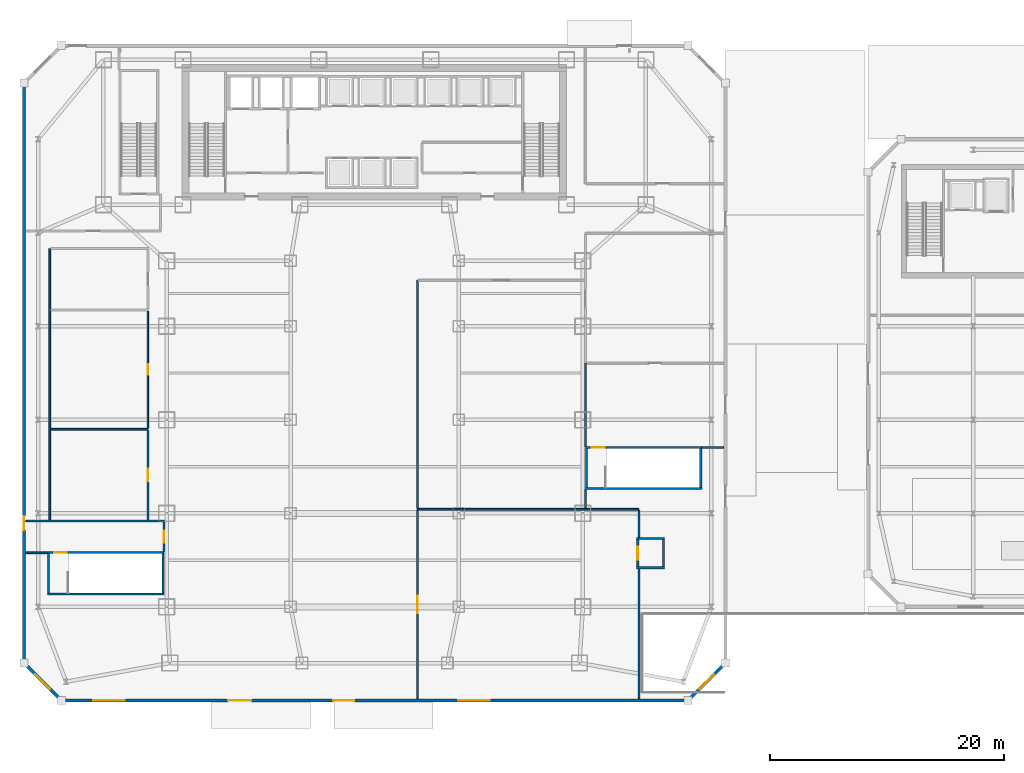
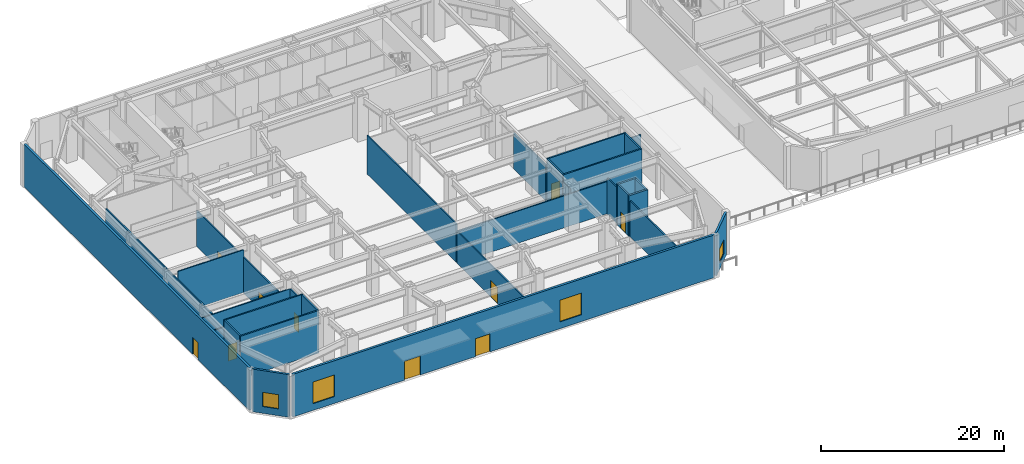
# One storey, part 11 of 23: 31 walls, 10 doors, 4 windows, 14 openings.
"""IFC4 building model written with IfcOpenShell, lengths in metres."""

from ifc_helpers import new_model, si_unit, direction, frame, frame_2d, origin, place, context, subcontext, project, spatial, rectangle, extrude, material, layer, layer_set, type_object, element, fill, save


model = new_model("IFC4")

# Units and contexts
model_context = context("Model", 3, precision=1e-05, world=origin(), true_north=direction((0.0, 1.0)))
body_context = subcontext(model_context, "Body", "Model", "MODEL_VIEW")
ifc_project = project(units=[si_unit("LENGTHUNIT", "METRE"), si_unit("AREAUNIT", "SQUARE_METRE"), si_unit("VOLUMEUNIT", "CUBIC_METRE"), si_unit("PLANEANGLEUNIT", "RADIAN"), si_unit("MASSUNIT", "GRAM", prefix="KILO")], contexts=[model_context])

# Site, building, storey
site_placement = place(None, origin())
site = spatial("IfcSite", under=ifc_project, at=site_placement, CompositionType="ELEMENT")
building_placement = place(site_placement, origin())
building = spatial("IfcBuilding", under=site, at=building_placement, Name="Saevonmaru Cultural Tower", CompositionType="ELEMENT")
storey_placement = place(building_placement, origin())
storey = spatial("IfcBuildingStorey", under=building, at=storey_placement, Name="L00", CompositionType="ELEMENT", Elevation=0.0)

# Wall, opening, window
ifc_material_1 = material(Name="Granite-Clad Precast Concrete C40/50", Category="masonry")
ifc_layer_1 = layer(ifc_material_1, 0.260009765625, Name="Granite-Clad Precast Concrete C40/50")
ifc_layer_set_1 = layer_set([ifc_layer_1], Name="Granite-Clad Precast Concrete C40/50")
wall_type_1 = type_object("IfcWallType", Name="WL-EXT-SPANDREL-260", PredefinedType="STANDARD", material=ifc_layer_set_1)
wall_1_placement = place(storey_placement, frame((3.0869140625, 0.113037109375, 0.0), z_axis=(0.0, 0.0, 1.0), x_axis=(-0.707106781187, 0.707106781187, 0.0)))
wall_1 = element("IfcWall", 1, at=wall_1_placement, inside=storey, type_object=wall_type_1, Name="L00 Podium Bronze-Granite Exterior Wall E1", PredefinedType="STANDARD", context=body_context, shape_type="SweptSolid", body=[
    extrude(rectangle(XDim=4.205810546875, YDim=0.260009765625, at=frame_2d((2.10302734375, 0.0))), origin(), (0.0, 0.0, 1.0), 5.699951171875),
])
opening_1_placement = place(wall_1_placement, frame((1.202880859375, 0.0, 0.89990234375)))
opening_1 = element("IfcOpeningElement", 2, at=opening_1_placement, cuts=wall_1, Name="Opening W-2", PredefinedType="OPENING", context=body_context, shape_type="SweptSolid", body=[
    extrude(rectangle(XDim=1.800048828125, YDim=1.89990234375, at=frame_2d((0.89990234375, 0.949951171875))), frame((0.0, 0.14013671875, 0.0), z_axis=(0.0, -1.0, 0.0), x_axis=(1.0, 0.0, 0.0)), (0.0, 0.0, 1.0), 0.280029296875),
])
ifc_material_2 = material(Name="Satin Bronze Anodised Aluminium", Category="aluminium")
window_type_1 = type_object("IfcWindowType", Name="WN-DECO-1800x1900", PartitioningType="SINGLE_PANEL", PredefinedType="WINDOW", material=ifc_material_2)
window_1_placement = place(opening_1_placement, origin())
window_1 = element("IfcWindow", 3, at=window_1_placement, inside=storey, type_object=window_type_1, Name="L00 Chamfer Bay Window E1", OverallHeight=1.89990234375, OverallWidth=1.800048828125, PartitioningType="SINGLE_PANEL", PredefinedType="WINDOW", context=body_context, shape_type="SweptSolid", body=[
    extrude(rectangle(XDim=1.800048828125, YDim=1.89990234375, at=frame_2d((0.89990234375, 0.949951171875))), frame((0.0, 0.030029296875, 0.0), z_axis=(0.0, -1.0, 0.0), x_axis=(1.0, 0.0, 0.0)), (0.0, 0.0, 1.0), 0.06005859375),
])
fill(opening_1, window_1)

wall_2_placement = place(storey_placement, frame((59.886962890625, 3.0869140625, 0.0), z_axis=(0.0, 0.0, 1.0), x_axis=(-0.707106781187, -0.707106781187, 0.0)))
wall_2 = element("IfcWall", 4, at=wall_2_placement, inside=storey, type_object=wall_type_1, Name="L00 Podium Bronze-Granite Exterior Wall E3", PredefinedType="STANDARD", context=body_context, shape_type="SweptSolid", body=[
    extrude(rectangle(XDim=4.205810546875, YDim=0.260009765625, at=frame_2d((2.10302734375, 0.0))), origin(), (0.0, 0.0, 1.0), 5.699951171875),
])
opening_2_placement = place(wall_2_placement, frame((1.202880859375, 0.0, 0.89990234375)))
opening_2 = element("IfcOpeningElement", 5, at=opening_2_placement, cuts=wall_2, Name="Opening W-2", PredefinedType="OPENING", context=body_context, shape_type="SweptSolid", body=[
    extrude(rectangle(XDim=1.800048828125, YDim=1.89990234375, at=frame_2d((0.89990234375, 0.949951171875))), frame((0.0, 0.14013671875, 0.0), z_axis=(0.0, -1.0, 0.0), x_axis=(1.0, 0.0, 0.0)), (0.0, 0.0, 1.0), 0.280029296875),
])
window_2_placement = place(opening_2_placement, origin())
window_2 = element("IfcWindow", 6, at=window_2_placement, inside=storey, type_object=window_type_1, Name="L00 Chamfer Bay Window E3", OverallHeight=1.89990234375, OverallWidth=1.800048828125, PartitioningType="SINGLE_PANEL", PredefinedType="WINDOW", context=body_context, shape_type="SweptSolid", body=[
    extrude(rectangle(XDim=1.800048828125, YDim=1.89990234375, at=frame_2d((0.89990234375, 0.949951171875))), frame((0.0, 0.030029296875, 0.0), z_axis=(0.0, -1.0, 0.0), x_axis=(1.0, 0.0, 0.0)), (0.0, 0.0, 1.0), 0.06005859375),
])
fill(opening_2, window_2)

# Wall, openings, doors, windows
ifc_layer_2 = layer(ifc_material_1, 0.280029296875, Name="Granite-Clad Precast Concrete C40/50")
ifc_layer_set_2 = layer_set([ifc_layer_2], Name="Granite-Clad Precast Concrete C40/50")
wall_type_2 = type_object("IfcWallType", Name="WL-EXT-SPANDREL-280", PredefinedType="STANDARD", material=ifc_layer_set_2)
wall_3_placement = place(storey_placement, frame((56.639892578125, 0.0, 0.0), z_axis=(0.0, 0.0, 1.0), x_axis=(-1.0, 0.0, 0.0)))
wall_3 = element("IfcWall", 7, at=wall_3_placement, inside=storey, type_object=wall_type_2, Name="L00 Podium Bronze-Granite Exterior Wall E2", PredefinedType="STANDARD", context=body_context, shape_type="SweptSolid", body=[
    extrude(rectangle(XDim=53.27978515625, YDim=0.280029296875, at=frame_2d((26.639892578125, 0.0))), origin(), (0.0, 0.0, 1.0), 5.699951171875),
])
opening_3_placement = place(wall_3_placement, frame((37.179931640625, 0.0, 0.0)))
opening_3 = element("IfcOpeningElement", 8, at=opening_3_placement, cuts=wall_3, Name="Opening EXD-0", PredefinedType="OPENING", context=body_context, shape_type="SweptSolid", body=[
    extrude(rectangle(XDim=2.0, YDim=2.5, at=frame_2d((1.0, 1.25))), frame((0.0, 0.14990234375, 0.0), z_axis=(0.0, -1.0, 0.0), x_axis=(1.0, 0.0, 0.0)), (0.0, 0.0, 1.0), 0.300048828125),
])
opening_4_placement = place(wall_3_placement, frame((28.3798828125, 0.0, 0.0)))
opening_4 = element("IfcOpeningElement", 9, at=opening_4_placement, cuts=wall_3, Name="Opening EXD-1", PredefinedType="OPENING", context=body_context, shape_type="SweptSolid", body=[
    extrude(rectangle(XDim=1.800048828125, YDim=2.39990234375, at=frame_2d((0.89990234375, 1.199951171875))), frame((0.0, 0.14990234375, 0.0), z_axis=(0.0, -1.0, 0.0), x_axis=(1.0, 0.0, 0.0)), (0.0, 0.0, 1.0), 0.300048828125),
])
opening_5_placement = place(wall_3_placement, frame((48.0, 0.0, 0.89990234375)))
opening_5 = element("IfcOpeningElement", 10, at=opening_5_placement, cuts=wall_3, Name="Opening W-5", PredefinedType="OPENING", context=body_context, shape_type="SweptSolid", body=[
    extrude(rectangle(XDim=2.699951171875, YDim=2.89990234375, at=frame_2d((1.35009765625, 1.449951171875))), frame((0.0, 0.14990234375, 0.0), z_axis=(0.0, -1.0, 0.0), x_axis=(1.0, 0.0, 0.0)), (0.0, 0.0, 1.0), 0.300048828125),
])
opening_6_placement = place(wall_3_placement, frame((16.800048828125, 0.0, 0.89990234375)))
opening_6 = element("IfcOpeningElement", 11, at=opening_6_placement, cuts=wall_3, Name="Opening W-5", PredefinedType="OPENING", context=body_context, shape_type="SweptSolid", body=[
    extrude(rectangle(XDim=2.699951171875, YDim=2.89990234375, at=frame_2d((1.35009765625, 1.449951171875))), frame((0.0, 0.14990234375, 0.0), z_axis=(0.0, -1.0, 0.0), x_axis=(1.0, 0.0, 0.0)), (0.0, 0.0, 1.0), 0.300048828125),
])
door_type_1 = type_object("IfcDoorType", Name="DR-EXIT-1800", OperationType="DOUBLE_DOOR_SINGLE_SWING", PredefinedType="DOOR", material=ifc_material_2)
door_1_placement = place(opening_4_placement, origin())
door_1 = element("IfcDoor", 12, at=door_1_placement, inside=storey, type_object=door_type_1, Name="Grand Cultural Foyer Street Exit Door EX-04", OperationType="DOUBLE_DOOR_SINGLE_SWING", OverallHeight=2.39990234375, OverallWidth=1.800048828125, PredefinedType="DOOR", context=body_context, shape_type="SweptSolid", body=[
    extrude(rectangle(XDim=1.800048828125, YDim=2.39990234375, at=frame_2d((0.89990234375, 1.199951171875))), frame((0.0, 0.02490234375, 0.0), z_axis=(0.0, -1.0, 0.0), x_axis=(1.0, 0.0, 0.0)), (0.0, 0.0, 1.0), 0.050048828125),
])
fill(opening_4, door_1)
door_type_2 = type_object("IfcDoorType", Name="DR-EXIT-2000", OperationType="DOUBLE_DOOR_SINGLE_SWING", PredefinedType="DOOR", material=ifc_material_2)
door_2_placement = place(opening_3_placement, origin())
door_2 = element("IfcDoor", 13, at=door_2_placement, inside=storey, type_object=door_type_2, Name="Grand Cultural Foyer Street Exit Door EX-03", OperationType="DOUBLE_DOOR_SINGLE_SWING", OverallHeight=2.5, OverallWidth=2.0, PredefinedType="DOOR", context=body_context, shape_type="SweptSolid", body=[
    extrude(rectangle(XDim=2.0, YDim=2.5, at=frame_2d((1.0, 1.25))), frame((0.0, 0.02490234375, 0.0), z_axis=(0.0, -1.0, 0.0), x_axis=(1.0, 0.0, 0.0)), (0.0, 0.0, 1.0), 0.050048828125),
])
fill(opening_3, door_2)
window_type_2 = type_object("IfcWindowType", Name="WN-POD-2700x2900", PartitioningType="TRIPLE_PANEL_VERTICAL", PredefinedType="WINDOW", material=ifc_material_2)
window_3_placement = place(opening_5_placement, origin())
window_3 = element("IfcWindow", 14, at=window_3_placement, inside=storey, type_object=window_type_2, Name="L00 South Foyer Window 1", OverallHeight=2.89990234375, OverallWidth=2.699951171875, PartitioningType="TRIPLE_PANEL_VERTICAL", PredefinedType="WINDOW", context=body_context, shape_type="SweptSolid", body=[
    extrude(rectangle(XDim=2.699951171875, YDim=2.89990234375, at=frame_2d((1.35009765625, 1.449951171875))), frame((0.0, 0.030029296875, 0.0), z_axis=(0.0, -1.0, 0.0), x_axis=(1.0, 0.0, 0.0)), (0.0, 0.0, 1.0), 0.06005859375),
])
fill(opening_5, window_3)
window_4_placement = place(opening_6_placement, origin())
window_4 = element("IfcWindow", 15, at=window_4_placement, inside=storey, type_object=window_type_2, Name="L00 South Foyer Window 2", OverallHeight=2.89990234375, OverallWidth=2.699951171875, PartitioningType="TRIPLE_PANEL_VERTICAL", PredefinedType="WINDOW", context=body_context, shape_type="SweptSolid", body=[
    extrude(rectangle(XDim=2.699951171875, YDim=2.89990234375, at=frame_2d((1.35009765625, 1.449951171875))), frame((0.0, 0.030029296875, 0.0), z_axis=(0.0, -1.0, 0.0), x_axis=(1.0, 0.0, 0.0)), (0.0, 0.0, 1.0), 0.06005859375),
])
fill(opening_6, window_4)

# Wall, opening, door
wall_4_placement = place(storey_placement, frame((0.0, 3.360107421875, 0.0), z_axis=(0.0, 0.0, 1.0), x_axis=(0.0, 1.0, 0.0)))
wall_4 = element("IfcWall", 16, at=wall_4_placement, inside=storey, type_object=wall_type_2, Name="L00 Podium Bronze-Granite Exterior Wall E8", PredefinedType="STANDARD", context=body_context, shape_type="SweptSolid", body=[
    extrude(rectangle(XDim=49.27978515625, YDim=0.280029296875, at=frame_2d((24.639892578125, 0.0))), origin(), (0.0, 0.0, 1.0), 5.699951171875),
])
opening_7_placement = place(wall_4_placement, frame((11.199951171875, 0.0, 0.0)))
opening_7 = element("IfcOpeningElement", 17, at=opening_7_placement, cuts=wall_4, Name="Opening EXD-2", PredefinedType="OPENING", context=body_context, shape_type="SweptSolid", body=[
    extrude(rectangle(XDim=1.199951171875, YDim=2.25, at=frame_2d((0.60009765625, 1.125))), frame((0.0, 0.14990234375, 0.0), z_axis=(0.0, -1.0, 0.0), x_axis=(1.0, 0.0, 0.0)), (0.0, 0.0, 1.0), 0.300048828125),
])
door_type_3 = type_object("IfcDoorType", Name="DR-EXIT-1200", OperationType="SINGLE_SWING_LEFT", PredefinedType="DOOR", material=ifc_material_2)
door_3_placement = place(opening_7_placement, origin())
door_3 = element("IfcDoor", 18, at=door_3_placement, inside=storey, type_object=door_type_3, Name="West Station Protected Exit Door EX-08", OperationType="SINGLE_SWING_LEFT", OverallHeight=2.25, OverallWidth=1.199951171875, PredefinedType="DOOR", context=body_context, shape_type="SweptSolid", body=[
    extrude(rectangle(XDim=1.199951171875, YDim=2.25, at=frame_2d((0.60009765625, 1.125))), frame((0.0, 0.02490234375, 0.0), z_axis=(0.0, -1.0, 0.0), x_axis=(1.0, 0.0, 0.0)), (0.0, 0.0, 1.0), 0.050048828125),
])
fill(opening_7, door_3)

# Walls
ifc_material_3 = material(Name="Gypsum Fireboard Partition", Category="gypsum")
ifc_layer_3 = layer(ifc_material_3, 0.14990234375, Name="Gypsum Fireboard Partition")
ifc_layer_set_3 = layer_set([ifc_layer_3], Name="Gypsum Fireboard Partition")
wall_type_3 = type_object("IfcWallType", Name="WL-PART-FIRE-150", PredefinedType="PARTITIONING", material=ifc_layer_set_3)
wall_5_placement = place(storey_placement, frame((33.64990234375, 16.35009765625, 0.0), z_axis=(0.0, 0.0, 1.0), x_axis=(1.0, 0.0, 0.0)))
element("IfcWall", 19, at=wall_5_placement, inside=storey, type_object=wall_type_3, Name="L00 Bookshop North Wall", PredefinedType="PARTITIONING", context=body_context, shape_type="SweptSolid", body=[
    extrude(rectangle(XDim=18.9501953125, YDim=0.14990234375, at=frame_2d((9.47509765625, 0.0))), origin(), (0.0, 0.0, 1.0), 4.284912109375),
])
wall_6_placement = place(storey_placement, frame((52.60009765625, 0.159912109375, 0.0), z_axis=(0.0, 0.0, 1.0), x_axis=(0.0, 1.0, 0.0)))
element("IfcWall", 20, at=wall_6_placement, inside=storey, type_object=wall_type_3, Name="L00 Bookshop Ramp-Well Wall", PredefinedType="PARTITIONING", context=body_context, shape_type="SweptSolid", body=[
    extrude(rectangle(XDim=11.070068359375, YDim=0.14990234375, at=frame_2d((5.53515625, 0.0))), origin(), (0.0, 0.0, 1.0), 4.784912109375),
])
wall_7_placement = place(storey_placement, frame((52.60009765625, 13.969970703125, 0.0), z_axis=(0.0, 0.0, 1.0), x_axis=(0.0, 1.0, 0.0)))
element("IfcWall", 21, at=wall_7_placement, inside=storey, type_object=wall_type_3, Name="L00 Bookshop Ramp-Well Wall (2)", PredefinedType="PARTITIONING", context=body_context, shape_type="SweptSolid", body=[
    extrude(rectangle(XDim=2.284912109375, YDim=0.14990234375, at=frame_2d((1.142578125, 0.0))), origin(), (0.0, 0.0, 1.0), 4.784912109375),
])

# Wall, opening, door
wall_8_placement = place(storey_placement, frame((33.64990234375, 0.159912109375, 0.0), z_axis=(0.0, 0.0, 1.0), x_axis=(0.0, 1.0, 0.0)))
wall_8 = element("IfcWall", 22, at=wall_8_placement, inside=storey, type_object=wall_type_3, Name="L00 Bookshop Foyer Wall", PredefinedType="PARTITIONING", context=body_context, shape_type="SweptSolid", body=[
    extrude(rectangle(XDim=16.094970703125, YDim=0.14990234375, at=frame_2d((8.04736328125, 0.0))), origin(), (0.0, 0.0, 1.0), 4.284912109375),
])
opening_8_placement = place(wall_8_placement, frame((7.297119140625, 0.0, 0.0)))
opening_8 = element("IfcOpeningElement", 23, at=opening_8_placement, cuts=wall_8, Name="Opening ID-0", PredefinedType="OPENING", context=body_context, shape_type="SweptSolid", body=[
    extrude(rectangle(XDim=1.5, YDim=2.199951171875, at=frame_2d((0.75, 1.10009765625))), frame((0.0, 0.0849609375, 0.0), z_axis=(0.0, -1.0, 0.0), x_axis=(1.0, 0.0, 0.0)), (0.0, 0.0, 1.0), 0.169921875),
])
ifc_material_4 = material(Name="Acoustic Stained Oak Timber", Category="wood")
door_type_4 = type_object("IfcDoorType", Name="DR-INT-1500", OperationType="DOUBLE_DOOR_SINGLE_SWING", PredefinedType="DOOR", material=ifc_material_4)
door_4_placement = place(opening_8_placement, origin())
door_4 = element("IfcDoor", 24, at=door_4_placement, inside=storey, type_object=door_type_4, Name="L00 Design Museum Bookshop Door", OperationType="DOUBLE_DOOR_SINGLE_SWING", OverallHeight=2.199951171875, OverallWidth=1.5, PredefinedType="DOOR", context=body_context, shape_type="SweptSolid", body=[
    extrude(rectangle(XDim=1.5, YDim=2.199951171875, at=frame_2d((0.75, 1.10009765625))), frame((0.0, 0.02490234375, 0.0), z_axis=(0.0, -1.0, 0.0), x_axis=(1.0, 0.0, 0.0)), (0.0, 0.0, 1.0), 0.050048828125),
])
fill(opening_8, door_4)

# Walls
wall_9_placement = place(storey_placement, frame((33.64990234375, 16.445068359375, 0.0), z_axis=(0.0, 0.0, 1.0), x_axis=(0.0, 1.0, 0.0)))
element("IfcWall", 25, at=wall_9_placement, inside=storey, type_object=wall_type_3, Name="L00 Orientation Auditorium West Wall", PredefinedType="PARTITIONING", context=body_context, shape_type="SweptSolid", body=[
    extrude(rectangle(XDim=19.5048828125, YDim=0.14990234375, at=frame_2d((9.75244140625, 0.0))), origin(), (0.0, 0.0, 1.0), 5.18505859375),
])
wall_10_placement = place(storey_placement, frame((48.02001953125, 21.75, 0.0), z_axis=(0.0, 0.0, 1.0), x_axis=(0.0, 1.0, 0.0)))
element("IfcWall", 26, at=wall_10_placement, inside=storey, type_object=wall_type_3, Name="L00 Orientation Auditorium East Wall", PredefinedType="PARTITIONING", context=body_context, shape_type="SweptSolid", body=[
    extrude(rectangle(XDim=7.10009765625, YDim=0.14990234375, at=frame_2d((3.550048828125, 0.0))), origin(), (0.0, 0.0, 1.0), 4.784912109375),
])
wall_11_placement = place(storey_placement, frame((48.02001953125, 16.445068359375, 0.0), z_axis=(0.0, 0.0, 1.0), x_axis=(0.0, 1.0, 0.0)))
element("IfcWall", 27, at=wall_11_placement, inside=storey, type_object=wall_type_3, Name="L00 Orientation Auditorium East Wall (2)", PredefinedType="PARTITIONING", context=body_context, shape_type="SweptSolid", body=[
    extrude(rectangle(XDim=1.554931640625, YDim=0.14990234375, at=frame_2d((0.77734375, 0.0))), origin(), (0.0, 0.0, 1.0), 4.784912109375),
])
wall_12_placement = place(storey_placement, frame((0.159912109375, 15.35009765625, 0.0), z_axis=(0.0, 0.0, 1.0), x_axis=(1.0, 0.0, 0.0)))
element("IfcWall", 28, at=wall_12_placement, inside=storey, type_object=wall_type_3, Name="L00 South-West Exit Corridor North Wall", PredefinedType="PARTITIONING", context=body_context, shape_type="SweptSolid", body=[
    extrude(rectangle(XDim=11.820068359375, YDim=0.14990234375, at=frame_2d((5.91015625, 0.0))), origin(), (0.0, 0.0, 1.0), 4.784912109375),
])
wall_13_placement = place(storey_placement, frame((2.02001953125, 12.639892578125, 0.0), z_axis=(0.0, 0.0, 1.0), x_axis=(-1.0, 0.0, 0.0)))
element("IfcWall", 29, at=wall_13_placement, inside=storey, type_object=wall_type_3, Name="L00 South-West Exit Corridor South-West Wall", PredefinedType="PARTITIONING", context=body_context, shape_type="SweptSolid", body=[
    extrude(rectangle(XDim=1.860107421875, YDim=0.14990234375, at=frame_2d((0.93017578125, 0.0))), origin(), (0.0, 0.0, 1.0), 4.784912109375),
])

# Wall, opening, door
wall_14_placement = place(storey_placement, frame((11.97998046875, 12.75, 0.0), z_axis=(0.0, 0.0, 1.0), x_axis=(0.0, 1.0, 0.0)))
wall_14 = element("IfcWall", 30, at=wall_14_placement, inside=storey, type_object=wall_type_3, Name="L00 South-West Exit Corridor Foyer Wall", PredefinedType="PARTITIONING", context=body_context, shape_type="SweptSolid", body=[
    extrude(rectangle(XDim=2.5048828125, YDim=0.14990234375, at=frame_2d((1.25244140625, 0.0))), origin(), (0.0, 0.0, 1.0), 4.784912109375),
])
opening_9_placement = place(wall_14_placement, frame((0.7529296875, 0.0, 0.0)))
opening_9 = element("IfcOpeningElement", 31, at=opening_9_placement, cuts=wall_14, Name="Opening FD-3", PredefinedType="OPENING", context=body_context, shape_type="SweptSolid", body=[
    extrude(rectangle(XDim=1.0, YDim=2.14990234375, at=frame_2d((0.5, 1.074951171875))), frame((0.0, 0.0849609375, 0.0), z_axis=(0.0, -1.0, 0.0), x_axis=(1.0, 0.0, 0.0)), (0.0, 0.0, 1.0), 0.169921875),
])
door_type_5 = type_object("IfcDoorType", Name="DR-FD60-1000", OperationType="SINGLE_SWING_RIGHT", PredefinedType="DOOR", material=ifc_material_2)
door_5_placement = place(opening_9_placement, origin())
door_5 = element("IfcDoor", 32, at=door_5_placement, inside=storey, type_object=door_type_5, Name="L00 South-West Exit Corridor Vestibule Door", OperationType="SINGLE_SWING_LEFT", OverallHeight=2.14990234375, OverallWidth=1.0, PredefinedType="DOOR", context=body_context, shape_type="SweptSolid", body=[
    extrude(rectangle(XDim=1.0, YDim=2.14990234375, at=frame_2d((0.5, 1.074951171875))), frame((0.0, 0.02490234375, 0.0), z_axis=(0.0, -1.0, 0.0), x_axis=(1.0, 0.0, 0.0)), (0.0, 0.0, 1.0), 0.050048828125),
])
fill(opening_9, door_5)

# Walls
wall_15_placement = place(storey_placement, frame((57.97998046875, 21.639892578125, 0.0), z_axis=(0.0, 0.0, 1.0), x_axis=(1.0, 0.0, 0.0)))
element("IfcWall", 33, at=wall_15_placement, inside=storey, type_object=wall_type_3, Name="L00 East Station Exit Passageway Plaza Return", PredefinedType="PARTITIONING", context=body_context, shape_type="SweptSolid", body=[
    extrude(rectangle(XDim=1.860107421875, YDim=0.14990234375, at=frame_2d((0.93017578125, 0.0))), origin(), (0.0, 0.0, 1.0), 4.784912109375),
])
wall_16_placement = place(storey_placement, frame((2.199951171875, 15.445068359375, 0.0), z_axis=(0.0, 0.0, 1.0), x_axis=(0.0, 1.0, 0.0)))
element("IfcWall", 34, at=wall_16_placement, inside=storey, type_object=wall_type_3, Name="L00 West Suite Back Wall", PredefinedType="PARTITIONING", context=body_context, shape_type="SweptSolid", body=[
    extrude(rectangle(XDim=23.204833984375, YDim=0.14990234375, at=frame_2d((11.6025390625, 0.0))), origin(), (0.0, 0.0, 1.0), 4.784912109375),
])

# Wall, opening, door
wall_17_placement = place(storey_placement, frame((10.60009765625, 15.445068359375, 0.0), z_axis=(0.0, 0.0, 1.0), x_axis=(0.0, 1.0, 0.0)))
wall_17 = element("IfcWall", 35, at=wall_17_placement, inside=storey, type_object=wall_type_3, Name="L00 Museum Cafe Foyer Wall", PredefinedType="PARTITIONING", context=body_context, shape_type="SweptSolid", body=[
    extrude(rectangle(XDim=7.6650390625, YDim=0.14990234375, at=frame_2d((3.83251953125, 0.0))), origin(), (0.0, 0.0, 1.0), 4.784912109375),
])
opening_10_placement = place(wall_17_placement, frame((3.306884765625, 0.0, 0.0)))
opening_10 = element("IfcOpeningElement", 36, at=opening_10_placement, cuts=wall_17, Name="Opening ID-1", PredefinedType="OPENING", context=body_context, shape_type="SweptSolid", body=[
    extrude(rectangle(XDim=1.050048828125, YDim=2.14990234375, at=frame_2d((0.52490234375, 1.074951171875))), frame((0.0, 0.0849609375, 0.0), z_axis=(0.0, -1.0, 0.0), x_axis=(1.0, 0.0, 0.0)), (0.0, 0.0, 1.0), 0.169921875),
])
door_type_6 = type_object("IfcDoorType", Name="DR-INT-1050", OperationType="SINGLE_SWING_LEFT", PredefinedType="DOOR", material=ifc_material_2)
door_6_placement = place(opening_10_placement, origin())
door_6 = element("IfcDoor", 37, at=door_6_placement, inside=storey, type_object=door_type_6, Name="L00 Museum Cafe Entrance Door", OperationType="SINGLE_SWING_LEFT", OverallHeight=2.14990234375, OverallWidth=1.050048828125, PredefinedType="DOOR", context=body_context, shape_type="SweptSolid", body=[
    extrude(rectangle(XDim=1.050048828125, YDim=2.14990234375, at=frame_2d((0.52490234375, 1.074951171875))), frame((0.0, 0.02490234375, 0.0), z_axis=(0.0, -1.0, 0.0), x_axis=(1.0, 0.0, 0.0)), (0.0, 0.0, 1.0), 0.050048828125),
])
fill(opening_10, door_6)

# Wall
ifc_layer_4 = layer(ifc_material_3, 0.139892578125, Name="Gypsum Fireboard Partition")
ifc_layer_set_4 = layer_set([ifc_layer_4], Name="Gypsum Fireboard Partition")
wall_type_4 = type_object("IfcWallType", Name="WL-PART-WET-140", PredefinedType="PARTITIONING", material=ifc_layer_set_4)
wall_18_placement = place(storey_placement, frame((2.294921875, 23.199951171875, 0.0), z_axis=(0.0, 0.0, 1.0), x_axis=(1.0, 0.0, 0.0)))
element("IfcWall", 38, at=wall_18_placement, inside=storey, type_object=wall_type_4, Name="L00 Ground Washroom South Wall", PredefinedType="PARTITIONING", context=body_context, shape_type="SweptSolid", body=[
    extrude(rectangle(XDim=8.30517578125, YDim=0.139892578125, at=frame_2d((4.152587890625, 0.0))), origin(), (0.0, 0.0, 1.0), 5.699951171875),
])

# Wall, opening, door
wall_19_placement = place(storey_placement, frame((10.60009765625, 23.2900390625, 0.0), z_axis=(0.0, 0.0, 1.0), x_axis=(0.0, 1.0, 0.0)))
wall_19 = element("IfcWall", 39, at=wall_19_placement, inside=storey, type_object=wall_type_4, Name="L00 Ground Washroom Foyer Wall", PredefinedType="PARTITIONING", context=body_context, shape_type="SweptSolid", body=[
    extrude(rectangle(XDim=10.014892578125, YDim=0.139892578125, at=frame_2d((5.00732421875, 0.0))), origin(), (0.0, 0.0, 1.0), 4.784912109375),
])
opening_11_placement = place(wall_19_placement, frame((4.55810546875, 0.0, 0.0)))
opening_11 = element("IfcOpeningElement", 40, at=opening_11_placement, cuts=wall_19, Name="Opening ID-2", PredefinedType="OPENING", context=body_context, shape_type="SweptSolid", body=[
    extrude(rectangle(XDim=0.89990234375, YDim=2.10009765625, at=frame_2d((0.449951171875, 1.050048828125))), frame((0.0, 0.080078125, 0.0), z_axis=(0.0, -1.0, 0.0), x_axis=(1.0, 0.0, 0.0)), (0.0, 0.0, 1.0), 0.159912109375),
])
door_type_7 = type_object("IfcDoorType", Name="DR-INT-900", OperationType="SINGLE_SWING_RIGHT", PredefinedType="DOOR", material=ifc_material_4)
door_7_placement = place(opening_11_placement, origin())
door_7 = element("IfcDoor", 41, at=door_7_placement, inside=storey, type_object=door_type_7, Name="L00 Accessible Ground Washroom Door", OperationType="SINGLE_SWING_RIGHT", OverallHeight=2.10009765625, OverallWidth=0.89990234375, PredefinedType="DOOR", context=body_context, shape_type="SweptSolid", body=[
    extrude(rectangle(XDim=0.89990234375, YDim=2.10009765625, at=frame_2d((0.449951171875, 1.050048828125))), frame((0.0, 0.02490234375, 0.0), z_axis=(0.0, -1.0, 0.0), x_axis=(1.0, 0.0, 0.0)), (0.0, 0.0, 1.0), 0.050048828125),
])
fill(opening_11, door_7)

# Walls
ifc_material_5 = material(Name="Concrete C40/50", Category="concrete")
ifc_layer_5 = layer(ifc_material_5, 0.199951171875, Name="Concrete C40/50")
ifc_layer_set_5 = layer_set([ifc_layer_5], Name="Concrete C40/50")
wall_type_5 = type_object("IfcWallType", Name="WL-SHAFT-200", PredefinedType="SHEAR", material=ifc_layer_set_5)
for number, where, z_axis, x_axis, name in (
    (42, (52.39990234375, 11.35009765625, 0.0), (0.0, 0.0, 1.0), (1.0, 0.0, 0.0), "L00 Lift SLF-1 Hoistway Wall S"),
    (43, (52.39990234375, 13.85009765625, 0.0), (0.0, 0.0, 1.0), (1.0, 0.0, 0.0), "L00 Lift SLF-1 Hoistway Wall N"),
):
    element("IfcWall", number, at=place(storey_placement, frame(where, z_axis=z_axis, x_axis=x_axis)), inside=storey, type_object=wall_type_5, Name=name, PredefinedType="SHEAR", context=body_context, shape_type="SweptSolid", body=[
        extrude(rectangle(XDim=2.400146484375, YDim=0.199951171875, at=frame_2d((1.2001953125, 0.0))), origin(), (0.0, 0.0, 1.0), 5.47998046875),
    ])

# Wall, opening, door
wall_20_placement = place(storey_placement, frame((52.5, 11.449951171875, 0.0), z_axis=(0.0, 0.0, 1.0), x_axis=(0.0, 1.0, 0.0)))
wall_20 = element("IfcWall", 44, at=wall_20_placement, inside=storey, type_object=wall_type_5, Name="L00 Lift SLF-1 Hoistway Wall W", PredefinedType="SHEAR", context=body_context, shape_type="SweptSolid", body=[
    extrude(rectangle(XDim=2.300048828125, YDim=0.199951171875, at=frame_2d((1.14990234375, 0.0))), origin(), (0.0, 0.0, 1.0), 5.47998046875),
])
opening_12_placement = place(wall_20_placement, frame((0.60009765625, 0.0, 0.0)))
opening_12 = element("IfcOpeningElement", 45, at=opening_12_placement, cuts=wall_20, Name="Opening LD-1", PredefinedType="OPENING", context=body_context, shape_type="SweptSolid", body=[
    extrude(rectangle(XDim=1.10009765625, YDim=2.199951171875, at=frame_2d((0.550048828125, 1.10009765625))), frame((0.0, 0.10986328125, 0.0), z_axis=(0.0, -1.0, 0.0), x_axis=(1.0, 0.0, 0.0)), (0.0, 0.0, 1.0), 0.219970703125),
])
ifc_material_6 = material(Name="Satin Bronze Stainless Steel", Category="steel")
door_type_8 = type_object("IfcDoorType", Name="DR-LIFT-1100", OperationType="SLIDING_TO_LEFT", PredefinedType="DOOR", material=ifc_material_6)
door_8_placement = place(opening_12_placement, origin())
door_8 = element("IfcDoor", 46, at=door_8_placement, inside=storey, type_object=door_type_8, Name="L00 Lift SLF-1 Sliding Landing Door", OperationType="SLIDING_TO_LEFT", OverallHeight=2.199951171875, OverallWidth=1.10009765625, PredefinedType="DOOR", context=body_context, shape_type="SweptSolid", body=[
    extrude(rectangle(XDim=1.10009765625, YDim=2.199951171875, at=frame_2d((0.550048828125, 1.10009765625))), frame((0.0, 0.02490234375, 0.0), z_axis=(0.0, -1.0, 0.0), x_axis=(1.0, 0.0, 0.0)), (0.0, 0.0, 1.0), 0.050048828125),
])
fill(opening_12, door_8)

# Wall
wall_21_placement = place(storey_placement, frame((54.699951171875, 11.449951171875, 0.0), z_axis=(0.0, 0.0, 1.0), x_axis=(0.0, 1.0, 0.0)))
element("IfcWall", 47, at=wall_21_placement, inside=storey, type_object=wall_type_5, Name="L00 Lift SLF-1 Hoistway Wall E", PredefinedType="SHEAR", context=body_context, shape_type="SweptSolid", body=[
    extrude(rectangle(XDim=2.300048828125, YDim=0.199951171875, at=frame_2d((1.14990234375, 0.0))), origin(), (0.0, 0.0, 1.0), 5.47998046875),
])

# Wall, opening, door
ifc_layer_6 = layer(ifc_material_5, 0.179931640625, Name="Concrete C40/50")
ifc_layer_set_6 = layer_set([ifc_layer_6], Name="Concrete C40/50")
wall_type_6 = type_object("IfcWallType", Name="WL-STSHAFT-180", PredefinedType="SHEAR", material=ifc_layer_set_6)
wall_22_placement = place(storey_placement, frame((2.02001953125, 12.639892578125, 0.0), z_axis=(0.0, 0.0, 1.0), x_axis=(1.0, 0.0, 0.0)))
wall_22 = element("IfcWall", 48, at=wall_22_placement, inside=storey, type_object=wall_type_6, Name="L00 Stair SST-1 Structural Shaft Wall 1", PredefinedType="SHEAR", context=body_context, shape_type="SweptSolid", body=[
    extrude(rectangle(XDim=9.9599609375, YDim=0.179931640625, at=frame_2d((4.97998046875, 0.0))), origin(), (0.0, 0.0, 1.0), 5.699951171875),
])
opening_13_placement = place(wall_22_placement, frame((0.550048828125, 0.0, 0.0)))
opening_13 = element("IfcOpeningElement", 49, at=opening_13_placement, cuts=wall_22, Name="Opening FD-2", PredefinedType="OPENING", context=body_context, shape_type="SweptSolid", body=[
    extrude(rectangle(XDim=1.10009765625, YDim=2.14990234375, at=frame_2d((0.550048828125, 1.074951171875))), frame((0.0, 0.10009765625, 0.0), z_axis=(0.0, -1.0, 0.0), x_axis=(1.0, 0.0, 0.0)), (0.0, 0.0, 1.0), 0.199951171875),
])
door_type_9 = type_object("IfcDoorType", Name="DR-FD60-1100", OperationType="SINGLE_SWING_LEFT", PredefinedType="DOOR", material=ifc_material_2)
door_9_placement = place(opening_13_placement, origin())
door_9 = element("IfcDoor", 50, at=door_9_placement, inside=storey, type_object=door_type_9, Name="L00 Protected Stair SST-1 Fire Door", OperationType="SINGLE_SWING_LEFT", OverallHeight=2.14990234375, OverallWidth=1.10009765625, PredefinedType="DOOR", context=body_context, shape_type="SweptSolid", body=[
    extrude(rectangle(XDim=1.10009765625, YDim=2.14990234375, at=frame_2d((0.550048828125, 1.074951171875))), frame((0.0, 0.02490234375, 0.0), z_axis=(0.0, -1.0, 0.0), x_axis=(1.0, 0.0, 0.0)), (0.0, 0.0, 1.0), 0.050048828125),
])
fill(opening_13, door_9)

# Walls
wall_23_placement = place(storey_placement, frame((11.889892578125, 12.550048828125, 0.0), z_axis=(0.0, 0.0, 1.0), x_axis=(0.0, -1.0, 0.0)))
element("IfcWall", 51, at=wall_23_placement, inside=storey, type_object=wall_type_6, Name="L00 Stair SST-1 Structural Shaft Wall 2", PredefinedType="SHEAR", context=body_context, shape_type="SweptSolid", body=[
    extrude(rectangle(XDim=3.35009765625, YDim=0.179931640625, at=frame_2d((1.675048828125, 0.0))), origin(), (0.0, 0.0, 1.0), 5.699951171875),
])
wall_24_placement = place(storey_placement, frame((11.97998046875, 9.110107421875, 0.0), z_axis=(0.0, 0.0, 1.0), x_axis=(-1.0, 0.0, 0.0)))
element("IfcWall", 52, at=wall_24_placement, inside=storey, type_object=wall_type_6, Name="L00 Stair SST-1 Structural Shaft Wall 3", PredefinedType="SHEAR", context=body_context, shape_type="SweptSolid", body=[
    extrude(rectangle(XDim=9.9599609375, YDim=0.179931640625, at=frame_2d((4.97998046875, 0.0))), origin(), (0.0, 0.0, 1.0), 5.699951171875),
])
wall_25_placement = place(storey_placement, frame((2.110107421875, 9.199951171875, 0.0), z_axis=(0.0, 0.0, 1.0), x_axis=(0.0, 1.0, 0.0)))
element("IfcWall", 53, at=wall_25_placement, inside=storey, type_object=wall_type_6, Name="L00 Stair SST-1 Structural Shaft Wall 4", PredefinedType="SHEAR", context=body_context, shape_type="SweptSolid", body=[
    extrude(rectangle(XDim=3.35009765625, YDim=0.179931640625, at=frame_2d((1.675048828125, 0.0))), origin(), (0.0, 0.0, 1.0), 5.699951171875),
])

# Wall, opening, door
wall_26_placement = place(storey_placement, frame((48.02001953125, 21.639892578125, 0.0), z_axis=(0.0, 0.0, 1.0), x_axis=(1.0, 0.0, 0.0)))
wall_26 = element("IfcWall", 54, at=wall_26_placement, inside=storey, type_object=wall_type_6, Name="L00 Stair SST-2 Structural Shaft Wall 1", PredefinedType="SHEAR", context=body_context, shape_type="SweptSolid", body=[
    extrude(rectangle(XDim=9.9599609375, YDim=0.179931640625, at=frame_2d((4.97998046875, 0.0))), origin(), (0.0, 0.0, 1.0), 5.699951171875),
])
opening_14_placement = place(wall_26_placement, frame((0.550048828125, 0.0, 0.0)))
opening_14 = element("IfcOpeningElement", 55, at=opening_14_placement, cuts=wall_26, Name="Opening FD-2", PredefinedType="OPENING", context=body_context, shape_type="SweptSolid", body=[
    extrude(rectangle(XDim=1.10009765625, YDim=2.14990234375, at=frame_2d((0.550048828125, 1.074951171875))), frame((0.0, 0.10009765625, 0.0), z_axis=(0.0, -1.0, 0.0), x_axis=(1.0, 0.0, 0.0)), (0.0, 0.0, 1.0), 0.199951171875),
])
door_10_placement = place(opening_14_placement, origin())
door_10 = element("IfcDoor", 56, at=door_10_placement, inside=storey, type_object=door_type_9, Name="L00 Protected Stair SST-2 Fire Door", OperationType="SINGLE_SWING_LEFT", OverallHeight=2.14990234375, OverallWidth=1.10009765625, PredefinedType="DOOR", context=body_context, shape_type="SweptSolid", body=[
    extrude(rectangle(XDim=1.10009765625, YDim=2.14990234375, at=frame_2d((0.550048828125, 1.074951171875))), frame((0.0, 0.02490234375, 0.0), z_axis=(0.0, -1.0, 0.0), x_axis=(1.0, 0.0, 0.0)), (0.0, 0.0, 1.0), 0.050048828125),
])
fill(opening_14, door_10)

# Walls
wall_27_placement = place(storey_placement, frame((57.889892578125, 21.550048828125, 0.0), z_axis=(0.0, 0.0, 1.0), x_axis=(0.0, -1.0, 0.0)))
element("IfcWall", 57, at=wall_27_placement, inside=storey, type_object=wall_type_6, Name="L00 Stair SST-2 Structural Shaft Wall 2", PredefinedType="SHEAR", context=body_context, shape_type="SweptSolid", body=[
    extrude(rectangle(XDim=3.35009765625, YDim=0.179931640625, at=frame_2d((1.675048828125, 0.0))), origin(), (0.0, 0.0, 1.0), 5.699951171875),
])
wall_28_placement = place(storey_placement, frame((57.97998046875, 18.110107421875, 0.0), z_axis=(0.0, 0.0, 1.0), x_axis=(-1.0, 0.0, 0.0)))
element("IfcWall", 58, at=wall_28_placement, inside=storey, type_object=wall_type_6, Name="L00 Stair SST-2 Structural Shaft Wall 3", PredefinedType="SHEAR", context=body_context, shape_type="SweptSolid", body=[
    extrude(rectangle(XDim=9.9599609375, YDim=0.179931640625, at=frame_2d((4.97998046875, 0.0))), origin(), (0.0, 0.0, 1.0), 5.699951171875),
])
wall_29_placement = place(storey_placement, frame((48.110107421875, 18.199951171875, 0.0), z_axis=(0.0, 0.0, 1.0), x_axis=(0.0, 1.0, 0.0)))
element("IfcWall", 59, at=wall_29_placement, inside=storey, type_object=wall_type_6, Name="L00 Stair SST-2 Structural Shaft Wall 4", PredefinedType="SHEAR", context=body_context, shape_type="SweptSolid", body=[
    extrude(rectangle(XDim=3.35009765625, YDim=0.179931640625, at=frame_2d((1.675048828125, 0.0))), origin(), (0.0, 0.0, 1.0), 5.699951171875),
])

save(model, "model.ifc")
